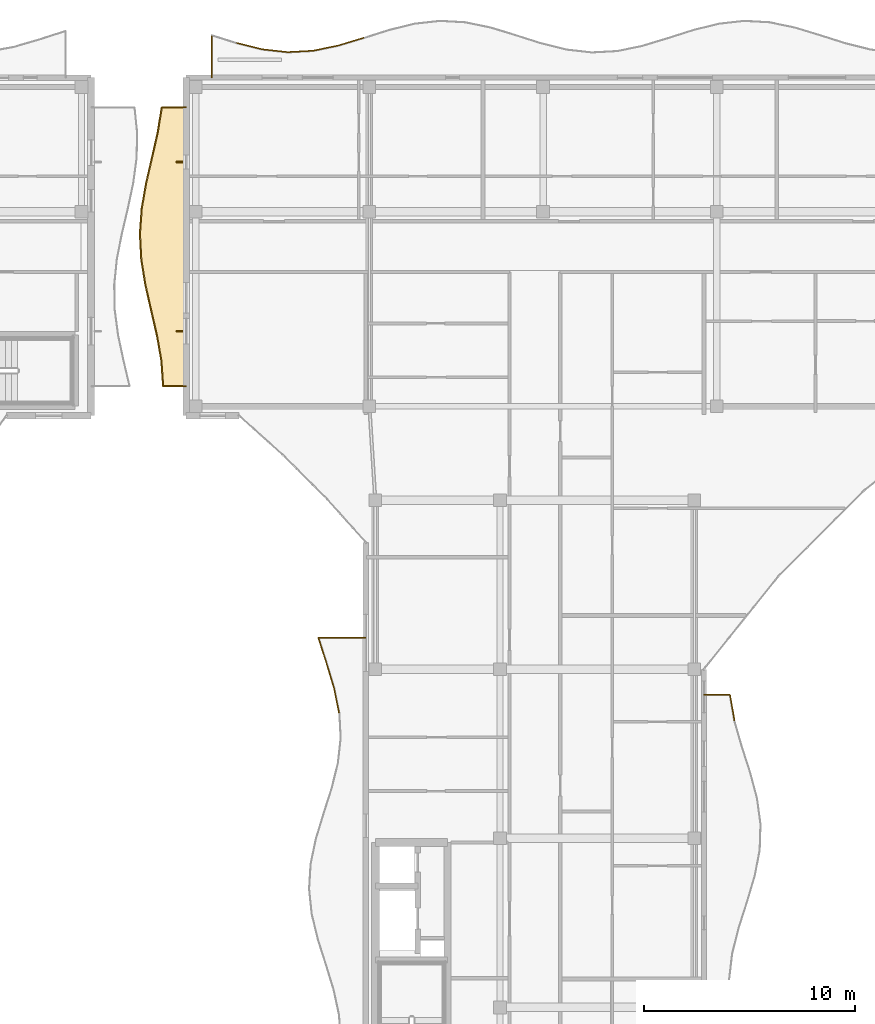
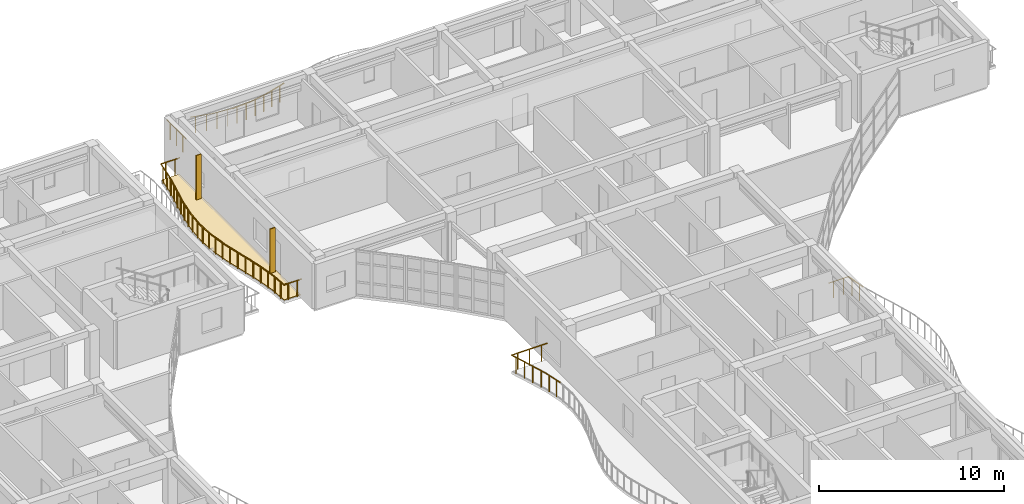
# One storey, part 59 of 76: 25 railings, 2 shading devices, 1 covering.
"""IFC4 building model written with IfcOpenShell, lengths in metres."""

from ifc_helpers import new_model, si_unit, direction, frame, origin, origin_2d, place, context, subcontext, project, spatial, polyline, rectangle, circle, outline, extrude, material, layer, layer_set, type_object, element, save


model = new_model("IFC4")

# Units and contexts
model_context = context("Model", 3, precision=1e-05, world=origin(), true_north=direction((0.0, 1.0)))
body_context = subcontext(model_context, "Body", "Model", "MODEL_VIEW")
ifc_project = project(units=[si_unit("LENGTHUNIT", "METRE"), si_unit("AREAUNIT", "SQUARE_METRE"), si_unit("VOLUMEUNIT", "CUBIC_METRE"), si_unit("PLANEANGLEUNIT", "RADIAN"), si_unit("MASSUNIT", "GRAM", prefix="KILO")], contexts=[model_context])

# Site, building, storey
site_placement = place(None, origin())
site = spatial("IfcSite", under=ifc_project, at=site_placement, CompositionType="ELEMENT")
building_placement = place(site_placement, origin())
building = spatial("IfcBuilding", under=site, at=building_placement, Name="Keldmere Railside Commons", CompositionType="ELEMENT")
storey_placement = place(building_placement, frame((0.0, 0.0, 13.760009765625)))
storey = spatial("IfcBuildingStorey", under=building, at=storey_placement, Name="L04", CompositionType="ELEMENT", Elevation=13.760009765625)

# Railings
ifc_material_1 = material(Name="Steel F-24 (S235)", Category="steel")
railing_type = type_object("IfcRailingType", Name="Balcony & Terrace Steel Balustrade 1100", PredefinedType="BALUSTRADE", material=ifc_material_1)
railing_1_placement = place(storey_placement, frame((40.699951171875, 116.0, 0.0)))
element("IfcRailing", 1, at=railing_1_placement, inside=storey, type_object=railing_type, Name="GR-1 GRD-L04-1177", PredefinedType="BALUSTRADE", context=body_context, shape_type="SweptSolid", body=[
    extrude(circle(Radius=0.02392578125, at=origin_2d()), frame((0.0, 0.0, 1.076171875), z_axis=(0.0, 1.0, 0.0), x_axis=(-1.0, 0.0, 0.0)), (0.0, 0.0, 1.0), 2.0185546875),
    extrude(circle(Radius=0.02099609375, at=origin_2d()), frame((0.0, 0.33642578125, 0.0)), (0.0, 0.0, 1.0), 1.048095703125),
    extrude(circle(Radius=0.02099609375, at=origin_2d()), frame((0.0, 1.00927734375, 0.0)), (0.0, 0.0, 1.0), 1.048095703125),
    extrude(circle(Radius=0.02099609375, at=origin_2d()), frame((0.0, 1.68212890625, 0.0)), (0.0, 0.0, 1.0), 1.048095703125),
])
railing_2_placement = place(storey_placement, frame((41.89990234375, 117.635986328125, 0.0)))
element("IfcRailing", 2, at=railing_2_placement, inside=storey, type_object=railing_type, Name="GR-1 GRD-L04-1179", PredefinedType="BALUSTRADE", context=body_context, shape_type="SweptSolid", body=[
    extrude(circle(Radius=0.02392578125, at=origin_2d()), frame((0.0, 0.0, 1.076171875), z_axis=(0.970420542678, -0.241420733054, 0.0), x_axis=(0.241420733054, 0.970420542678, 0.0)), (0.0, 0.0, 1.0), 1.23681640625),
    extrude(circle(Radius=0.02099609375, at=origin_2d()), frame((0.300048828125, -0.07470703125, 0.0)), (0.0, 0.0, 1.0), 1.048095703125),
    extrude(circle(Radius=0.02099609375, at=origin_2d()), frame((0.900146484375, -0.223876953125, 0.0)), (0.0, 0.0, 1.0), 1.048095703125),
])
railing_3_placement = place(storey_placement, frame((43.10009765625, 117.33740234375, 0.0)))
element("IfcRailing", 3, at=railing_3_placement, inside=storey, type_object=railing_type, Name="GR-1 GRD-L04-1180", PredefinedType="BALUSTRADE", context=body_context, shape_type="SweptSolid", body=[
    extrude(circle(Radius=0.02392578125, at=origin_2d()), frame((0.0, 0.0, 1.076171875), z_axis=(0.993797127662, -0.111208223848, 0.0), x_axis=(0.111208223848, 0.993797127662, 0.0)), (0.0, 0.0, 1.0), 1.20751953125),
    extrude(circle(Radius=0.02099609375, at=origin_2d()), frame((0.300048828125, -0.03369140625, 0.0)), (0.0, 0.0, 1.0), 1.048095703125),
    extrude(circle(Radius=0.02099609375, at=origin_2d()), frame((0.89990234375, -0.1005859375, 0.0)), (0.0, 0.0, 1.0), 1.048095703125),
])
railing_4_placement = place(storey_placement, frame((44.300048828125, 117.203125, 0.0)))
element("IfcRailing", 4, at=railing_4_placement, inside=storey, type_object=railing_type, Name="GR-1 GRD-L04-1181", PredefinedType="BALUSTRADE", context=body_context, shape_type="SweptSolid", body=[
    extrude(circle(Radius=0.02392578125, at=origin_2d()), frame((0.0, 0.0, 1.076171875), z_axis=(0.998505647045, 0.05464863053, 0.0), x_axis=(-0.05464863053, 0.998505647045, 0.0)), (0.0, 0.0, 1.0), 1.20166015625),
    extrude(circle(Radius=0.02099609375, at=origin_2d()), frame((0.300048828125, 0.016357421875, 0.0)), (0.0, 0.0, 1.0), 1.048095703125),
    extrude(circle(Radius=0.02099609375, at=origin_2d()), frame((0.89990234375, 0.04931640625, 0.0)), (0.0, 0.0, 1.0), 1.048095703125),
])
railing_5_placement = place(storey_placement, frame((45.5, 117.268798828125, 0.0)))
element("IfcRailing", 5, at=railing_5_placement, inside=storey, type_object=railing_type, Name="GR-1 GRD-L04-1182", PredefinedType="BALUSTRADE", context=body_context, shape_type="SweptSolid", body=[
    extrude(circle(Radius=0.02392578125, at=origin_2d()), frame((0.0, 0.0, 1.076171875), z_axis=(0.979256330038, 0.202625368799, 0.0), x_axis=(-0.202625368799, 0.979256330038, 0.0)), (0.0, 0.0, 1.0), 1.225341796875),
    extrude(circle(Radius=0.02099609375, at=origin_2d()), frame((0.300048828125, 0.06201171875, 0.0)), (0.0, 0.0, 1.0), 1.048095703125),
    extrude(circle(Radius=0.02099609375, at=origin_2d()), frame((0.89990234375, 0.186279296875, 0.0)), (0.0, 0.0, 1.0), 1.048095703125),
])
railing_6_placement = place(storey_placement, frame((46.699951171875, 117.51708984375, 0.0)))
element("IfcRailing", 6, at=railing_6_placement, inside=storey, type_object=railing_type, Name="GR-1 GRD-L04-1183", PredefinedType="BALUSTRADE", context=body_context, shape_type="SweptSolid", body=[
    extrude(circle(Radius=0.02392578125, at=origin_2d()), frame((0.0, 0.0, 1.076171875), z_axis=(0.956883475575, 0.29047205403, 0.0), x_axis=(-0.29047205403, 0.956883475575, 0.0)), (0.0, 0.0, 1.0), 1.25390625),
    extrude(circle(Radius=0.02099609375, at=origin_2d()), frame((0.300048828125, 0.091064453125, 0.0)), (0.0, 0.0, 1.0), 1.048095703125),
    extrude(circle(Radius=0.02099609375, at=origin_2d()), frame((0.89990234375, 0.273193359375, 0.0)), (0.0, 0.0, 1.0), 1.048095703125),
])
railing_7_placement = place(storey_placement, frame((65.44677734375, 85.574951171875, 0.0)))
element("IfcRailing", 7, at=railing_7_placement, inside=storey, type_object=railing_type, Name="GR-1 GRD-L04-1236", PredefinedType="BALUSTRADE", context=body_context, shape_type="SweptSolid", body=[
    extrude(circle(Radius=0.02392578125, at=origin_2d()), frame((0.0, 0.0, 1.076171875), z_axis=(-0.171399173902, 0.985201666252, 0.0), x_axis=(-0.985201666252, -0.171399173902, 0.0)), (0.0, 0.0, 1.0), 1.243408203125),
    extrude(circle(Radius=0.02099609375, at=origin_2d()), frame((-0.05322265625, 0.30615234375, 0.0)), (0.0, 0.0, 1.0), 1.048095703125),
    extrude(circle(Radius=0.02099609375, at=origin_2d()), frame((-0.159912109375, 0.9189453125, 0.0)), (0.0, 0.0, 1.0), 1.048095703125),
])
railing_8_placement = place(storey_placement, frame((65.233642578125, 86.800048828125, 0.0)))
element("IfcRailing", 8, at=railing_8_placement, inside=storey, type_object=railing_type, Name="GR-1 GRD-L04-1237", PredefinedType="BALUSTRADE", context=body_context, shape_type="SweptSolid", body=[
    extrude(circle(Radius=0.02392578125, at=origin_2d()), frame((0.0, 0.0, 1.076171875), z_axis=(-1.0, 0.0, 0.0), x_axis=(0.0, -1.0, 0.0)), (0.0, 0.0, 1.0), 1.233642578125),
    extrude(circle(Radius=0.02099609375, at=origin_2d()), frame((-0.308349609375, 0.0, 0.0)), (0.0, 0.0, 1.0), 1.048095703125),
    extrude(circle(Radius=0.02099609375, at=origin_2d()), frame((-0.92529296875, 0.0, 0.0)), (0.0, 0.0, 1.0), 1.048095703125),
])
railing_9_placement = place(storey_placement, frame((46.734375, 85.933349609375, 0.0)))
element("IfcRailing", 9, at=railing_9_placement, inside=storey, type_object=railing_type, Name="GR-1 GRD-L04-1263", PredefinedType="BALUSTRADE", context=body_context, shape_type="SweptSolid", body=[
    extrude(circle(Radius=0.02392578125, at=origin_2d()), frame((0.0, 0.0, 1.076171875), z_axis=(-0.199597326935, 0.979878006223, 0.0), x_axis=(-0.979878006223, -0.199597326935, 0.0)), (0.0, 0.0, 1.0), 1.21337890625),
    extrude(circle(Radius=0.02099609375, at=origin_2d()), frame((-0.060546875, 0.29736328125, 0.0)), (0.0, 0.0, 1.0), 1.048095703125),
    extrude(circle(Radius=0.02099609375, at=origin_2d()), frame((-0.181640625, 0.8916015625, 0.0)), (0.0, 0.0, 1.0), 1.048095703125),
])
railing_10_placement = place(storey_placement, frame((46.4921875, 87.122314453125, 0.0)))
element("IfcRailing", 10, at=railing_10_placement, inside=storey, type_object=railing_type, Name="GR-1 GRD-L04-1264", PredefinedType="BALUSTRADE", context=body_context, shape_type="SweptSolid", body=[
    extrude(circle(Radius=0.02392578125, at=origin_2d()), frame((0.0, 0.0, 1.076171875), z_axis=(-0.288664547191, 0.957430299915, 0.0), x_axis=(-0.957430299915, -0.288664547191, 0.0)), (0.0, 0.0, 1.0), 1.241455078125),
    extrude(circle(Radius=0.02099609375, at=origin_2d()), frame((-0.089599609375, 0.297119140625, 0.0)), (0.0, 0.0, 1.0), 1.048095703125),
    extrude(circle(Radius=0.02099609375, at=origin_2d()), frame((-0.268798828125, 0.8916015625, 0.0)), (0.0, 0.0, 1.0), 1.048095703125),
])
railing_11_placement = place(storey_placement, frame((46.1337890625, 88.31103515625, 0.0)))
element("IfcRailing", 11, at=railing_11_placement, inside=storey, type_object=railing_type, Name="GR-1 GRD-L04-1265", PredefinedType="BALUSTRADE", context=body_context, shape_type="SweptSolid", body=[
    extrude(circle(Radius=0.02392578125, at=origin_2d()), frame((0.0, 0.0, 1.076171875), z_axis=(-0.304704763158, 0.952446852748, 0.0), x_axis=(-0.952446852748, -0.304704763158, 0.0)), (0.0, 0.0, 1.0), 1.248291015625),
    extrude(circle(Radius=0.02099609375, at=origin_2d()), frame((-0.09521484375, 0.29736328125, 0.0)), (0.0, 0.0, 1.0), 1.048095703125),
    extrude(circle(Radius=0.02099609375, at=origin_2d()), frame((-0.28515625, 0.8916015625, 0.0)), (0.0, 0.0, 1.0), 1.048095703125),
])
railing_12_placement = place(storey_placement, frame((45.75341796875, 89.5, 0.0)))
element("IfcRailing", 12, at=railing_12_placement, inside=storey, type_object=railing_type, Name="GR-1 GRD-L04-1266", PredefinedType="BALUSTRADE", context=body_context, shape_type="SweptSolid", body=[
    extrude(circle(Radius=0.02392578125, at=origin_2d()), frame((0.0, 0.0, 1.076171875), z_axis=(1.0, 0.0, 0.0), x_axis=(0.0, 1.0, 0.0)), (0.0, 0.0, 1.0), 2.24658203125),
    extrude(circle(Radius=0.02099609375, at=origin_2d()), frame((0.37451171875, 0.0, 0.0)), (0.0, 0.0, 1.0), 1.048095703125),
    extrude(circle(Radius=0.02099609375, at=origin_2d()), frame((1.123291015625, 0.0, 0.0)), (0.0, 0.0, 1.0), 1.048095703125),
    extrude(circle(Radius=0.02099609375, at=origin_2d()), frame((1.8720703125, 0.0, 0.0)), (0.0, 0.0, 1.0), 1.048095703125),
])
railing_13_placement = place(storey_placement, frame((39.5, 101.39990234375, 0.0)))
element("IfcRailing", 13, at=railing_13_placement, inside=storey, type_object=railing_type, Name="GR-1 GRD-L04-1280", PredefinedType="BALUSTRADE", context=body_context, shape_type="SweptSolid", body=[
    extrude(circle(Radius=0.02392578125, at=origin_2d()), frame((0.0, 0.0, 1.076171875), z_axis=(-1.0, 0.0, 0.0), x_axis=(0.0, -1.0, 0.0)), (0.0, 0.0, 1.0), 1.100341796875),
    extrude(circle(Radius=0.02099609375, at=origin_2d()), frame((-0.275146484375, 0.0, 0.0)), (0.0, 0.0, 1.0), 1.048095703125),
    extrude(circle(Radius=0.02099609375, at=origin_2d()), frame((-0.8251953125, 0.0, 0.0)), (0.0, 0.0, 1.0), 1.048095703125),
])
railing_14_placement = place(storey_placement, frame((38.399658203125, 101.39990234375, 0.0)))
element("IfcRailing", 14, at=railing_14_placement, inside=storey, type_object=railing_type, Name="GR-1 GRD-L04-1281", PredefinedType="BALUSTRADE", context=body_context, shape_type="SweptSolid", body=[
    extrude(circle(Radius=0.02392578125, at=origin_2d()), frame((0.0, 0.0, 1.076171875), z_axis=(-0.06980489587, 0.997560663074, 0.0), x_axis=(-0.997560663074, -0.06980489587, 0.0)), (0.0, 0.0, 1.0), 1.203125),
    extrude(circle(Radius=0.02099609375, at=origin_2d()), frame((-0.02099609375, 0.300048828125, 0.0)), (0.0, 0.0, 1.0), 1.048095703125),
    extrude(circle(Radius=0.02099609375, at=origin_2d()), frame((-0.06298828125, 0.900146484375, 0.0)), (0.0, 0.0, 1.0), 1.048095703125),
])
railing_15_placement = place(storey_placement, frame((38.315673828125, 102.60009765625, 0.0)))
element("IfcRailing", 15, at=railing_15_placement, inside=storey, type_object=railing_type, Name="GR-1 GRD-L04-1282", PredefinedType="BALUSTRADE", context=body_context, shape_type="SweptSolid", body=[
    extrude(circle(Radius=0.02392578125, at=origin_2d()), frame((0.0, 0.0, 1.076171875), z_axis=(-0.171383471067, 0.985204398003, 0.0), x_axis=(-0.985204398003, -0.171383471067, 0.0)), (0.0, 0.0, 1.0), 1.218017578125),
    extrude(circle(Radius=0.02099609375, at=origin_2d()), frame((-0.05224609375, 0.300048828125, 0.0)), (0.0, 0.0, 1.0), 1.048095703125),
    extrude(circle(Radius=0.02099609375, at=origin_2d()), frame((-0.156494140625, 0.89990234375, 0.0)), (0.0, 0.0, 1.0), 1.048095703125),
])
railing_16_placement = place(storey_placement, frame((38.10693359375, 103.800048828125, 0.0)))
element("IfcRailing", 16, at=railing_16_placement, inside=storey, type_object=railing_type, Name="GR-1 GRD-L04-1283", PredefinedType="BALUSTRADE", context=body_context, shape_type="SweptSolid", body=[
    extrude(circle(Radius=0.02392578125, at=origin_2d()), frame((0.0, 0.0, 1.076171875), z_axis=(-0.225380647654, 0.974270785594, 0.0), x_axis=(-0.974270785594, -0.225380647654, 0.0)), (0.0, 0.0, 1.0), 1.231689453125),
    extrude(circle(Radius=0.02099609375, at=origin_2d()), frame((-0.0693359375, 0.300048828125, 0.0)), (0.0, 0.0, 1.0), 1.048095703125),
    extrude(circle(Radius=0.02099609375, at=origin_2d()), frame((-0.208251953125, 0.89990234375, 0.0)), (0.0, 0.0, 1.0), 1.048095703125),
])
railing_17_placement = place(storey_placement, frame((37.829345703125, 105.0, 0.0)))
element("IfcRailing", 17, at=railing_17_placement, inside=storey, type_object=railing_type, Name="GR-1 GRD-L04-1284", PredefinedType="BALUSTRADE", context=body_context, shape_type="SweptSolid", body=[
    extrude(circle(Radius=0.02392578125, at=origin_2d()), frame((0.0, 0.0, 1.076171875), z_axis=(-0.221046448664, 0.975263281136, 0.0), x_axis=(-0.975263281136, -0.221046448664, 0.0)), (0.0, 0.0, 1.0), 1.23046875),
    extrude(circle(Radius=0.02099609375, at=origin_2d()), frame((-0.06787109375, 0.300048828125, 0.0)), (0.0, 0.0, 1.0), 1.048095703125),
    extrude(circle(Radius=0.02099609375, at=origin_2d()), frame((-0.2041015625, 0.89990234375, 0.0)), (0.0, 0.0, 1.0), 1.048095703125),
])
railing_18_placement = place(storey_placement, frame((37.557373046875, 106.199951171875, 0.0)))
element("IfcRailing", 18, at=railing_18_placement, inside=storey, type_object=railing_type, Name="GR-1 GRD-L04-1285", PredefinedType="BALUSTRADE", context=body_context, shape_type="SweptSolid", body=[
    extrude(circle(Radius=0.02392578125, at=origin_2d()), frame((0.0, 0.0, 1.076171875), z_axis=(-0.159282959495, 0.987232970891, 0.0), x_axis=(-0.987232970891, -0.159282959495, 0.0)), (0.0, 0.0, 1.0), 1.215576171875),
    extrude(circle(Radius=0.02099609375, at=origin_2d()), frame((-0.04833984375, 0.300048828125, 0.0)), (0.0, 0.0, 1.0), 1.048095703125),
    extrude(circle(Radius=0.02099609375, at=origin_2d()), frame((-0.145263671875, 0.89990234375, 0.0)), (0.0, 0.0, 1.0), 1.048095703125),
])
railing_19_placement = place(storey_placement, frame((37.36376953125, 107.39990234375, 0.0)))
element("IfcRailing", 19, at=railing_19_placement, inside=storey, type_object=railing_type, Name="GR-1 GRD-L04-1286", PredefinedType="BALUSTRADE", context=body_context, shape_type="SweptSolid", body=[
    extrude(circle(Radius=0.02392578125, at=origin_2d()), frame((0.0, 0.0, 1.076171875), z_axis=(-0.052814712281, 0.998604329135, 0.0), x_axis=(-0.998604329135, -0.052814712281, 0.0)), (0.0, 0.0, 1.0), 1.201904296875),
    extrude(circle(Radius=0.02099609375, at=origin_2d()), frame((-0.015869140625, 0.300048828125, 0.0)), (0.0, 0.0, 1.0), 1.048095703125),
    extrude(circle(Radius=0.02099609375, at=origin_2d()), frame((-0.047607421875, 0.900146484375, 0.0)), (0.0, 0.0, 1.0), 1.048095703125),
])
railing_20_placement = place(storey_placement, frame((37.30029296875, 108.60009765625, 0.0)))
element("IfcRailing", 20, at=railing_20_placement, inside=storey, type_object=railing_type, Name="GR-1 GRD-L04-1287", PredefinedType="BALUSTRADE", context=body_context, shape_type="SweptSolid", body=[
    extrude(circle(Radius=0.02392578125, at=origin_2d()), frame((0.0, 0.0, 1.076171875), z_axis=(0.070020997682, 0.9975455177, 0.0), x_axis=(-0.9975455177, 0.070020997682, 0.0)), (0.0, 0.0, 1.0), 1.202880859375),
    extrude(circle(Radius=0.02099609375, at=origin_2d()), frame((0.02099609375, 0.300048828125, 0.0)), (0.0, 0.0, 1.0), 1.048095703125),
    extrude(circle(Radius=0.02099609375, at=origin_2d()), frame((0.063232421875, 0.89990234375, 0.0)), (0.0, 0.0, 1.0), 1.048095703125),
])
railing_21_placement = place(storey_placement, frame((37.384521484375, 109.800048828125, 0.0)))
element("IfcRailing", 21, at=railing_21_placement, inside=storey, type_object=railing_type, Name="GR-1 GRD-L04-1288", PredefinedType="BALUSTRADE", context=body_context, shape_type="SweptSolid", body=[
    extrude(circle(Radius=0.02392578125, at=origin_2d()), frame((0.0, 0.0, 1.076171875), z_axis=(0.171188900173, 0.985238225232, 0.0), x_axis=(-0.985238225232, 0.171188900173, 0.0)), (0.0, 0.0, 1.0), 1.218017578125),
    extrude(circle(Radius=0.02099609375, at=origin_2d()), frame((0.05224609375, 0.300048828125, 0.0)), (0.0, 0.0, 1.0), 1.048095703125),
    extrude(circle(Radius=0.02099609375, at=origin_2d()), frame((0.15625, 0.89990234375, 0.0)), (0.0, 0.0, 1.0), 1.048095703125),
])
railing_22_placement = place(storey_placement, frame((37.593017578125, 111.0, 0.0)))
element("IfcRailing", 22, at=railing_22_placement, inside=storey, type_object=railing_type, Name="GR-1 GRD-L04-1289", PredefinedType="BALUSTRADE", context=body_context, shape_type="SweptSolid", body=[
    extrude(circle(Radius=0.02392578125, at=origin_2d()), frame((0.0, 0.0, 1.076171875), z_axis=(0.225380647654, 0.974270785594, 0.0), x_axis=(-0.974270785594, 0.225380647654, 0.0)), (0.0, 0.0, 1.0), 1.231689453125),
    extrude(circle(Radius=0.02099609375, at=origin_2d()), frame((0.0693359375, 0.300048828125, 0.0)), (0.0, 0.0, 1.0), 1.048095703125),
    extrude(circle(Radius=0.02099609375, at=origin_2d()), frame((0.208251953125, 0.89990234375, 0.0)), (0.0, 0.0, 1.0), 1.048095703125),
])
railing_23_placement = place(storey_placement, frame((37.87060546875, 112.199951171875, 0.0)))
element("IfcRailing", 23, at=railing_23_placement, inside=storey, type_object=railing_type, Name="GR-1 GRD-L04-1290", PredefinedType="BALUSTRADE", context=body_context, shape_type="SweptSolid", body=[
    extrude(circle(Radius=0.02392578125, at=origin_2d()), frame((0.0, 0.0, 1.076171875), z_axis=(0.221046448664, 0.975263281136, 0.0), x_axis=(-0.975263281136, 0.221046448664, 0.0)), (0.0, 0.0, 1.0), 1.23046875),
    extrude(circle(Radius=0.02099609375, at=origin_2d()), frame((0.06787109375, 0.300048828125, 0.0)), (0.0, 0.0, 1.0), 1.048095703125),
    extrude(circle(Radius=0.02099609375, at=origin_2d()), frame((0.2041015625, 0.89990234375, 0.0)), (0.0, 0.0, 1.0), 1.048095703125),
])
railing_24_placement = place(storey_placement, frame((38.142578125, 113.39990234375, 0.0)))
element("IfcRailing", 24, at=railing_24_placement, inside=storey, type_object=railing_type, Name="GR-1 GRD-L04-1291", PredefinedType="BALUSTRADE", context=body_context, shape_type="SweptSolid", body=[
    extrude(circle(Radius=0.02392578125, at=origin_2d()), frame((0.0, 0.0, 1.076171875), z_axis=(0.159251380369, 0.987238065438, 0.0), x_axis=(-0.987238065438, 0.159251380369, 0.0)), (0.0, 0.0, 1.0), 1.2158203125),
    extrude(circle(Radius=0.02099609375, at=origin_2d()), frame((0.04833984375, 0.300048828125, 0.0)), (0.0, 0.0, 1.0), 1.048095703125),
    extrude(circle(Radius=0.02099609375, at=origin_2d()), frame((0.145263671875, 0.900146484375, 0.0)), (0.0, 0.0, 1.0), 1.048095703125),
])
railing_25_placement = place(storey_placement, frame((38.336181640625, 114.60009765625, 0.0)))
element("IfcRailing", 25, at=railing_25_placement, inside=storey, type_object=railing_type, Name="GR-1 GRD-L04-1292", PredefinedType="BALUSTRADE", context=body_context, shape_type="SweptSolid", body=[
    extrude(circle(Radius=0.02392578125, at=origin_2d()), frame((0.0, 0.0, 1.076171875), z_axis=(1.0, 0.0, 0.0), x_axis=(0.0, 1.0, 0.0)), (0.0, 0.0, 1.0), 1.163818359375),
    extrude(circle(Radius=0.02099609375, at=origin_2d()), frame((0.291015625, 0.0, 0.0)), (0.0, 0.0, 1.0), 1.048095703125),
    extrude(circle(Radius=0.02099609375, at=origin_2d()), frame((0.872802734375, 0.0, 0.0)), (0.0, 0.0, 1.0), 1.048095703125),
])

# Shading devices
ifc_layer_1 = layer(ifc_material_1, 0.06005859375, Name="East-West Vertical Brise-Soleil Fin 320x60")
ifc_layer_set_1 = layer_set([ifc_layer_1], Name="Steel F-24 (S235)")
shading_device_type = type_object("IfcShadingDeviceType", Name="East-West Vertical Brise-Soleil Fin 320x60", PredefinedType="USERDEFINED", material=ifc_layer_set_1)
for number, where, z_axis, x_axis, name in (
    (26, (39.181884765625, 104.0, 0.0), (0.0, 0.0, 1.0), (1.0, 0.0, 0.0), "FIN-1 Solar Fin 013"),
    (27, (39.181884765625, 112.0, 0.0), (0.0, 0.0, 1.0), (1.0, 0.0, 0.0), "FIN-1 Solar Fin 014"),
):
    element("IfcShadingDevice", number, at=place(storey_placement, frame(where, z_axis=z_axis, x_axis=x_axis)), inside=storey, type_object=shading_device_type, Name=name, ObjectType="FIN", PredefinedType="USERDEFINED", context=body_context, shape_type="SweptSolid", body=[
        extrude(rectangle(XDim=0.320068359375, YDim=0.06005859375, at=origin_2d()), origin(), (0.0, 0.0, 1.0), 2.97998046875),
    ])

# Covering
ifc_material_2 = material(Name="White Precast Concrete C35/45", Category="concrete")
ifc_layer_2 = layer(ifc_material_2, 0.044921875, Name="White Architectural Balcony Ribbon Cladding 45")
ifc_layer_set_2 = layer_set([ifc_layer_2], Name="White Precast Concrete C35/45")
covering_type = type_object("IfcCoveringType", Name="White Architectural Balcony Ribbon Cladding 45", PredefinedType="FLOORING", material=ifc_layer_set_2)
covering_placement = place(storey_placement, origin())
element("IfcCovering", 28, at=covering_placement, inside=storey, type_object=covering_type, Name="CLG-WB C L04 WW White Balcony Ribbon", PredefinedType="FLOORING", context=body_context, shape_type="SweptSolid", body=[
    extrude(outline(polyline([(39.4599609375, 114.56005859375), (38.370361328125, 114.56005859375), (38.18212890625, 113.3935546875), (38.181640625, 113.39111328125), (37.90966796875, 112.191162109375), (37.90966796875, 112.19091796875), (37.63232421875, 110.9921875), (37.42431640625, 109.795166015625), (37.340576171875, 108.599609375), (37.403564453125, 107.404296875), (37.5966796875, 106.20751953125), (37.868408203125, 105.0087890625), (38.14599609375, 103.80908203125), (38.146240234375, 103.806884765625), (38.35498046875, 102.60693359375), (38.35546875, 102.602783203125), (38.43701171875, 101.43994140625), (39.4599609375, 101.43994140625), (39.4599609375, 114.56005859375)])), origin(), (0.0, 0.0, 1.0), 0.044921875),
])

save(model, "model.ifc")
